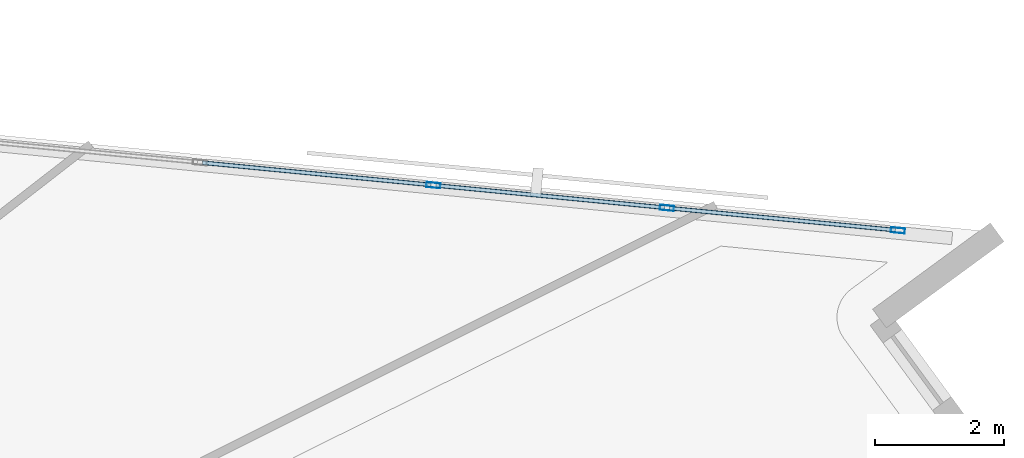
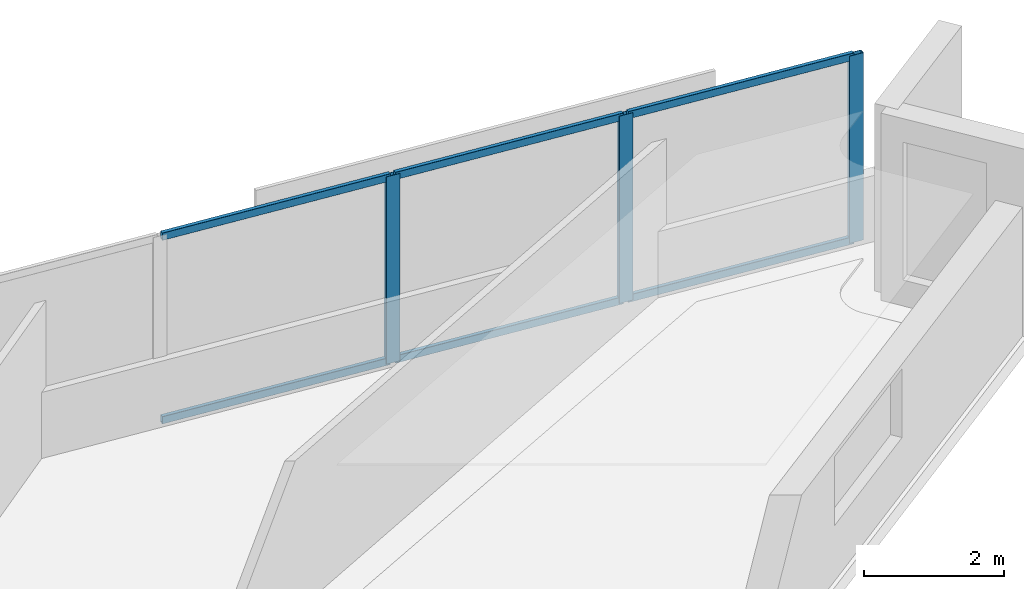
# One storey, part 6 of 13: 9 members, 1 element without a shape of its own.
"""IFC4 building model written with IfcOpenShell, lengths in metres."""

import ifcopenshell
import ifcopenshell.guid

model = None  # the IFC model being written
_history = None  # IfcOwnerHistory: only IFC2X3 demands one
_inside = {}  # id of a spatial element -> (the spatial element, [elements in it])
_under = {}  # id of a project, library or spatial element -> (it, [spatial elements below it])
_declared = {}  # id of a project -> (the project, [libraries it declares])
_typed = {}  # id of a type object -> (the type object, [elements of that type])
_made_of = {}  # id of a material, layer set ... -> (it, [elements and type objects made of it])


def new_model(schema):
    """Start an empty IFC model of exactly this schema.

    Asked for "IFC4X3", IfcOpenShell would pick the latest addendum, in which some entities
    have other attributes; the version numbers below select the first issue.
    IFC2X3 requires an IfcOwnerHistory on every rooted entity: one is made here for all.
    """
    global model, _history
    if schema == "IFC4X3":
        model = ifcopenshell.file(schema_version=(4, 3, 0, 0))
    else:
        model = ifcopenshell.file(schema=schema)
    _inside.clear()
    _under.clear()
    _declared.clear()
    _typed.clear()
    _made_of.clear()
    _history = None
    if model.schema == "IFC2X3":
        org = make("IfcOrganization", Name="unknown")
        user = make(
            "IfcPersonAndOrganization",
            ThePerson=make("IfcPerson", FamilyName="unknown"),
            TheOrganization=org,
        )
        app = make(
            "IfcApplication",
            ApplicationDeveloper=org,
            Version="unknown",
            ApplicationFullName="unknown",
            ApplicationIdentifier="unknown",
        )
        _history = make(
            "IfcOwnerHistory",
            OwningUser=user,
            OwningApplication=app,
            ChangeAction="ADDED",
            CreationDate=0,
        )
    return model


def make(cls, **values):
    """One entity of the class cls with the attributes given. An attribute that is None is left unset."""
    return model.create_entity(
        cls, **{name: value for name, value in values.items() if value is not None}
    )


def rooted(cls, **values):
    """An entity with a GlobalId (a new one), such as an element, a storey or a relation."""
    return make(cls, GlobalId=ifcopenshell.guid.new(), OwnerHistory=_history, **values)


def si_unit(unit_type, name, prefix=None):
    """IfcSIUnit, for example si_unit("LENGTHUNIT", "METRE", prefix="MILLI")."""
    return make("IfcSIUnit", UnitType=unit_type, Prefix=prefix, Name=name)


def assignment(units):
    """IfcUnitAssignment: the units of a project."""
    return None if units is None else make("IfcUnitAssignment", Units=units)


def point(xyz):
    """IfcCartesianPoint."""
    return None if xyz is None else make("IfcCartesianPoint", Coordinates=xyz)


def direction(xyz):
    """IfcDirection."""
    return None if xyz is None else make("IfcDirection", DirectionRatios=xyz)


def frame(location, z_axis=None, x_axis=None):
    """IfcAxis2Placement3D, a coordinate frame: its origin and axes. An axis left out is left unset."""
    return make(
        "IfcAxis2Placement3D",
        Location=point(location),
        Axis=direction(z_axis),
        RefDirection=direction(x_axis),
    )


def frame_2d(location, x_axis=None):
    """IfcAxis2Placement2D, a coordinate frame in the plane: its origin and x axis."""
    return make(
        "IfcAxis2Placement2D", Location=point(location), RefDirection=direction(x_axis)
    )


def origin():
    """The frame at (0, 0, 0) with its axes left unset."""
    return frame((0.0, 0.0, 0.0))


def origin_2d():
    """The frame at (0, 0) in the plane with its x axis left unset."""
    return frame_2d((0.0, 0.0))


def place(relative_to, where):
    """IfcLocalPlacement: puts the frame where relative to a parent placement (None: the world)."""
    return make(
        "IfcLocalPlacement", PlacementRelTo=relative_to, RelativePlacement=where
    )


def context(
    kind, dimensions, precision=None, world=None, true_north=None, identifier=None
):
    """IfcGeometricRepresentationContext, for example the 3D "Model" context."""
    return make(
        "IfcGeometricRepresentationContext",
        ContextIdentifier=identifier,
        ContextType=kind,
        CoordinateSpaceDimension=dimensions,
        Precision=precision,
        WorldCoordinateSystem=world,
        TrueNorth=true_north,
    )


def subcontext(parent, identifier, kind, view, scale=None):
    """IfcGeometricRepresentationSubContext, for example "Body" below "Model"."""
    return make(
        "IfcGeometricRepresentationSubContext",
        ContextIdentifier=identifier,
        ContextType=kind,
        ParentContext=parent,
        TargetScale=scale,
        TargetView=view,
    )


def project(units=None, contexts=None):
    """IfcProject with its units and contexts."""
    return rooted(
        "IfcProject",
        Name="project",
        RepresentationContexts=contexts,
        UnitsInContext=assignment(units),
    )


def spatial(cls, under=None, at=None, **own):
    """A site, building, storey or space (cls), placed at a placement, below another one or the project."""
    s = rooted(cls, ObjectPlacement=at, **own)
    if under is not None:
        _under.setdefault(under.id(), (under, []))[1].append(s)
    return s


def profile(cls, at=None, kind="AREA", **sizes):
    """A parametric profile (cls). Its sizes go by their IFC names, for example OverallWidth=200.0."""
    return make(cls, ProfileType=kind, Position=at, **sizes)


def hollow_rectangle(**sizes):
    """IfcRectangleHollowProfileDef."""
    return profile("IfcRectangleHollowProfileDef", **sizes)


def extrude(swept, where, along, depth):
    """IfcExtrudedAreaSolid: the profile swept, set in the frame where, extruded along a direction by depth."""
    return make(
        "IfcExtrudedAreaSolid",
        SweptArea=swept,
        Position=where,
        ExtrudedDirection=direction(along),
        Depth=depth,
    )


def shape(context_of_items, identifier, shape_type, items):
    """IfcShapeRepresentation: the items that make up one representation, for example the "Body"."""
    return make(
        "IfcShapeRepresentation",
        ContextOfItems=context_of_items,
        RepresentationIdentifier=identifier,
        RepresentationType=shape_type,
        Items=items,
    )


def material(Name=None, Category=None):
    """IfcMaterial."""
    return make("IfcMaterial", Name=Name, Category=Category)


def material_profile(
    of_material, cross_section, Name=None, Category=None, Priority=None
):
    """IfcMaterialProfile: a cross section and its material."""
    return make(
        "IfcMaterialProfile",
        Name=Name,
        Material=of_material,
        Profile=cross_section,
        Priority=Priority,
        Category=Category,
    )


def profile_set(profiles, Name=None, composite=None):
    """IfcMaterialProfileSet."""
    return make(
        "IfcMaterialProfileSet",
        Name=Name,
        MaterialProfiles=profiles,
        CompositeProfile=composite,
    )


def made_of(thing, what):
    """Note that an element or type object is made of a material, layer set ...; save() writes the relation."""
    if what is not None:
        _made_of.setdefault(what.id(), (what, []))[1].append(thing)
    return thing


def type_object(cls, material=None, **own):
    """A type object (cls), such as IfcWallType, which elements share."""
    return made_of(rooted(cls, **own), material)


def element(
    cls,
    number,
    at=None,
    inside=None,
    cuts=None,
    type_object=None,
    material=None,
    context=None,
    identifier="Body",
    shape_type=None,
    held_by="IfcProductDefinitionShape",
    body=None,
    shapes=None,
    **own,
):
    """One element of the class cls, such as IfcWall. Its Tag is "e" and its number.

    at: its placement. inside: the storey or other place that contains it. cuts: it is an
    opening in that element (IfcRelVoidsElement). A single representation is given by context,
    identifier, shape_type and body (its items); several are given by shapes. held_by: the class
    of the entity that holds the representations. save() writes the other relations.
    """
    e = rooted(cls, Tag="e%d" % number, ObjectPlacement=at, **own)
    if body is not None:
        shapes = [shape(context, identifier, shape_type, body)]
    if shapes is not None:
        e.Representation = make(held_by, Representations=shapes)
    if inside is not None:
        _inside.setdefault(inside.id(), (inside, []))[1].append(e)
    if cuts is not None:
        rooted(
            "IfcRelVoidsElement", RelatingBuildingElement=cuts, RelatedOpeningElement=e
        )
    if type_object is not None:
        _typed.setdefault(type_object.id(), (type_object, []))[1].append(e)
    return made_of(e, material)


def aggregate(whole, parts):
    """IfcRelAggregates: a whole, such as a stair, and the parts it consists of."""
    return rooted("IfcRelAggregates", RelatingObject=whole, RelatedObjects=parts)


def save(model, path):
    """Write the relations noted so far, then the file.

    IfcRelAggregates (storeys below a building ...), IfcRelContainedInSpatialStructure (elements
    in a storey), IfcRelDefinesByType, IfcRelAssociatesMaterial and IfcRelDeclares: one each for
    every whole, place, type object, material and project.
    """
    for whole, parts in _under.values():
        aggregate(whole, parts)
    for where, things in _inside.values():
        rooted(
            "IfcRelContainedInSpatialStructure",
            RelatedElements=things,
            RelatingStructure=where,
        )
    for kind, things in _typed.values():
        rooted("IfcRelDefinesByType", RelatedObjects=things, RelatingType=kind)
    for what, things in _made_of.values():
        rooted("IfcRelAssociatesMaterial", RelatedObjects=things, RelatingMaterial=what)
    for by, libraries in _declared.values():
        rooted("IfcRelDeclares", RelatingContext=by, RelatedDefinitions=libraries)
    model.write(path)


model = new_model("IFC4")

# Units and contexts
model_context = context("Model", 3, precision=1e-05, world=origin(), true_north=direction((0.0, 1.0)))
body_context = subcontext(model_context, "Body", "Model", "MODEL_VIEW")
ifc_project = project(units=[si_unit("LENGTHUNIT", "METRE"), si_unit("AREAUNIT", "SQUARE_METRE"), si_unit("VOLUMEUNIT", "CUBIC_METRE"), si_unit("PLANEANGLEUNIT", "RADIAN"), si_unit("MASSUNIT", "GRAM", prefix="KILO")], contexts=[model_context])

# Site, building, storey
site_placement = place(None, origin())
site = spatial("IfcSite", under=ifc_project, at=site_placement, CompositionType="ELEMENT")
building_placement = place(site_placement, origin())
building = spatial("IfcBuilding", under=site, at=building_placement, Name="Narakoshi Arena Tower", CompositionType="ELEMENT")
storey_placement = place(building_placement, frame((0.0, 0.0, 243.139892578125)))
storey = spatial("IfcBuildingStorey", under=building, at=storey_placement, Name="L66", CompositionType="ELEMENT", Elevation=243.139892578125)

# Curtain wall, members
ifc_material = material(Name="Anodised bronze aluminium 6063-T6", Category="aluminium")
curtain_wall_type = type_object("IfcCurtainWallType", Name="CW-HYP-HIGH", PredefinedType="NOTDEFINED", material=ifc_material)
curtain_wall_placement = place(storey_placement, origin())
curtain_wall = element("IfcCurtainWall", 1, at=curtain_wall_placement, inside=storey, type_object=curtain_wall_type, Name="L66 Folded Hypotenuse Curtain Wall 1-1", PredefinedType="NOTDEFINED")
ifc_material_profile_1 = material_profile(ifc_material, hollow_rectangle(XDim=0.080078125, YDim=0.219970703125, WallThickness=0.0048828125, OuterFilletRadius=0.006103515625, at=origin_2d()), Name="MUL220x80x5")
ifc_profile_set_1 = profile_set([ifc_material_profile_1], Name="Anodised bronze aluminium 6063-T6")
member_type_1 = type_object("IfcMemberType", Name="MEM-MUL-220", PredefinedType="MULLION", material=ifc_profile_set_1)
member_1_placement = place(storey_placement, frame((112.25048828125, 60.418701171875, 0.0), z_axis=(0.0, 0.0, 1.0), x_axis=(-0.096851320996, -0.995298860454, 0.0)))
member_1 = element("IfcMember", 2, at=member_1_placement, type_object=member_type_1, Name="CW-03 mullion 1", PredefinedType="MULLION", context=body_context, shape_type="SweptSolid", body=[
    extrude(hollow_rectangle(XDim=0.080078125, YDim=0.219970703125, WallThickness=0.0048828125, OuterFilletRadius=0.006103515625, at=origin_2d()), origin(), (0.0, 0.0, 1.0), 3.260009765625),
])
member_2_placement = place(storey_placement, frame((108.65869140625, 60.768310546875, 0.0), z_axis=(0.0, 0.0, 1.0), x_axis=(-0.096851320996, -0.995298860454, 0.0)))
member_2 = element("IfcMember", 3, at=member_2_placement, type_object=member_type_1, Name="CW-03 mullion 2", PredefinedType="MULLION", context=body_context, shape_type="SweptSolid", body=[
    extrude(hollow_rectangle(XDim=0.080078125, YDim=0.219970703125, WallThickness=0.0048828125, OuterFilletRadius=0.006103515625, at=origin_2d()), origin(), (0.0, 0.0, 1.0), 3.260009765625),
])
member_3_placement = place(storey_placement, frame((105.027099609375, 61.12158203125, 0.0), z_axis=(0.0, 0.0, 1.0), x_axis=(-0.096851320996, -0.995298860454, 0.0)))
member_3 = element("IfcMember", 4, at=member_3_placement, type_object=member_type_1, Name="CW-03 mullion 3", PredefinedType="MULLION", context=body_context, shape_type="SweptSolid", body=[
    extrude(hollow_rectangle(XDim=0.080078125, YDim=0.219970703125, WallThickness=0.0048828125, OuterFilletRadius=0.006103515625, at=origin_2d()), origin(), (0.0, 0.0, 1.0), 3.260009765625),
])
ifc_material_profile_2 = material_profile(ifc_material, hollow_rectangle(XDim=0.06494140625, YDim=0.1298828125, WallThickness=0.00390625, OuterFilletRadius=0.0048828125, at=origin_2d()), Name="TRN130x65x4")
ifc_profile_set_2 = profile_set([ifc_material_profile_2], Name="Anodised bronze aluminium 6063-T6")
member_type_2 = type_object("IfcMemberType", Name="MEM-TRN-130", PredefinedType="USERDEFINED", material=ifc_profile_set_2)
member_4_placement = place(storey_placement, frame((112.210693359375, 60.422607421875, 0.03271484375), z_axis=(-0.995298087829, 0.096859260598, 0.0), x_axis=(-0.096859260598, -0.995298087829, 0.0)))
member_4 = element("IfcMember", 5, at=member_4_placement, type_object=member_type_2, Name="CW-03 transom 1.1", ObjectType="TRANSOM", PredefinedType="USERDEFINED", context=body_context, shape_type="SweptSolid", body=[
    extrude(hollow_rectangle(XDim=0.06494140625, YDim=0.1298828125, WallThickness=0.00390625, OuterFilletRadius=0.0048828125, at=origin_2d()), origin(), (0.0, 0.0, 1.0), 3.52880859375),
])
member_5_placement = place(storey_placement, frame((112.210693359375, 60.422607421875, 3.2275390625), z_axis=(-0.995298087829, 0.096859260598, 0.0), x_axis=(-0.096859260598, -0.995298087829, 0.0)))
member_5 = element("IfcMember", 6, at=member_5_placement, type_object=member_type_2, Name="CW-03 transom 1.2", ObjectType="TRANSOM", PredefinedType="USERDEFINED", context=body_context, shape_type="SweptSolid", body=[
    extrude(hollow_rectangle(XDim=0.06494140625, YDim=0.1298828125, WallThickness=0.00390625, OuterFilletRadius=0.0048828125, at=origin_2d()), origin(), (0.0, 0.0, 1.0), 3.52880859375),
])
member_6_placement = place(storey_placement, frame((108.618896484375, 60.772216796875, 0.03271484375), z_axis=(-0.995303775278, 0.096800800194, 0.0), x_axis=(-0.096800800194, -0.995303775278, 0.0)))
member_6 = element("IfcMember", 7, at=member_6_placement, type_object=member_type_2, Name="CW-03 transom 2.1", ObjectType="TRANSOM", PredefinedType="USERDEFINED", context=body_context, shape_type="SweptSolid", body=[
    extrude(hollow_rectangle(XDim=0.06494140625, YDim=0.1298828125, WallThickness=0.00390625, OuterFilletRadius=0.0048828125, at=origin_2d()), origin(), (0.0, 0.0, 1.0), 3.56884765625),
])
member_7_placement = place(storey_placement, frame((108.618896484375, 60.772216796875, 3.2275390625), z_axis=(-0.995303775278, 0.096800800194, 0.0), x_axis=(-0.096800800194, -0.995303775278, 0.0)))
member_7 = element("IfcMember", 8, at=member_7_placement, type_object=member_type_2, Name="CW-03 transom 2.2", ObjectType="TRANSOM", PredefinedType="USERDEFINED", context=body_context, shape_type="SweptSolid", body=[
    extrude(hollow_rectangle(XDim=0.06494140625, YDim=0.1298828125, WallThickness=0.00390625, OuterFilletRadius=0.0048828125, at=origin_2d()), origin(), (0.0, 0.0, 1.0), 3.56884765625),
])
member_8_placement = place(storey_placement, frame((104.9873046875, 61.12548828125, 0.03271484375), z_axis=(-0.995297181926, 0.096868568947, 0.0), x_axis=(-0.096868568947, -0.995297181926, 0.0)))
member_8 = element("IfcMember", 9, at=member_8_placement, type_object=member_type_2, Name="CW-03 transom 3.1", ObjectType="TRANSOM", PredefinedType="USERDEFINED", context=body_context, shape_type="SweptSolid", body=[
    extrude(hollow_rectangle(XDim=0.06494140625, YDim=0.1298828125, WallThickness=0.00390625, OuterFilletRadius=0.0048828125, at=origin_2d()), origin(), (0.0, 0.0, 1.0), 3.56884765625),
])
member_9_placement = place(storey_placement, frame((104.9873046875, 61.12548828125, 3.2275390625), z_axis=(-0.995297181926, 0.096868568947, 0.0), x_axis=(-0.096868568947, -0.995297181926, 0.0)))
member_9 = element("IfcMember", 10, at=member_9_placement, type_object=member_type_2, Name="CW-03 transom 3.2", ObjectType="TRANSOM", PredefinedType="USERDEFINED", context=body_context, shape_type="SweptSolid", body=[
    extrude(hollow_rectangle(XDim=0.06494140625, YDim=0.1298828125, WallThickness=0.00390625, OuterFilletRadius=0.0048828125, at=origin_2d()), origin(), (0.0, 0.0, 1.0), 3.56884765625),
])
aggregate(curtain_wall, [member_1, member_2, member_3, member_4, member_5, member_6, member_7, member_8, member_9])

save(model, "model.ifc")
